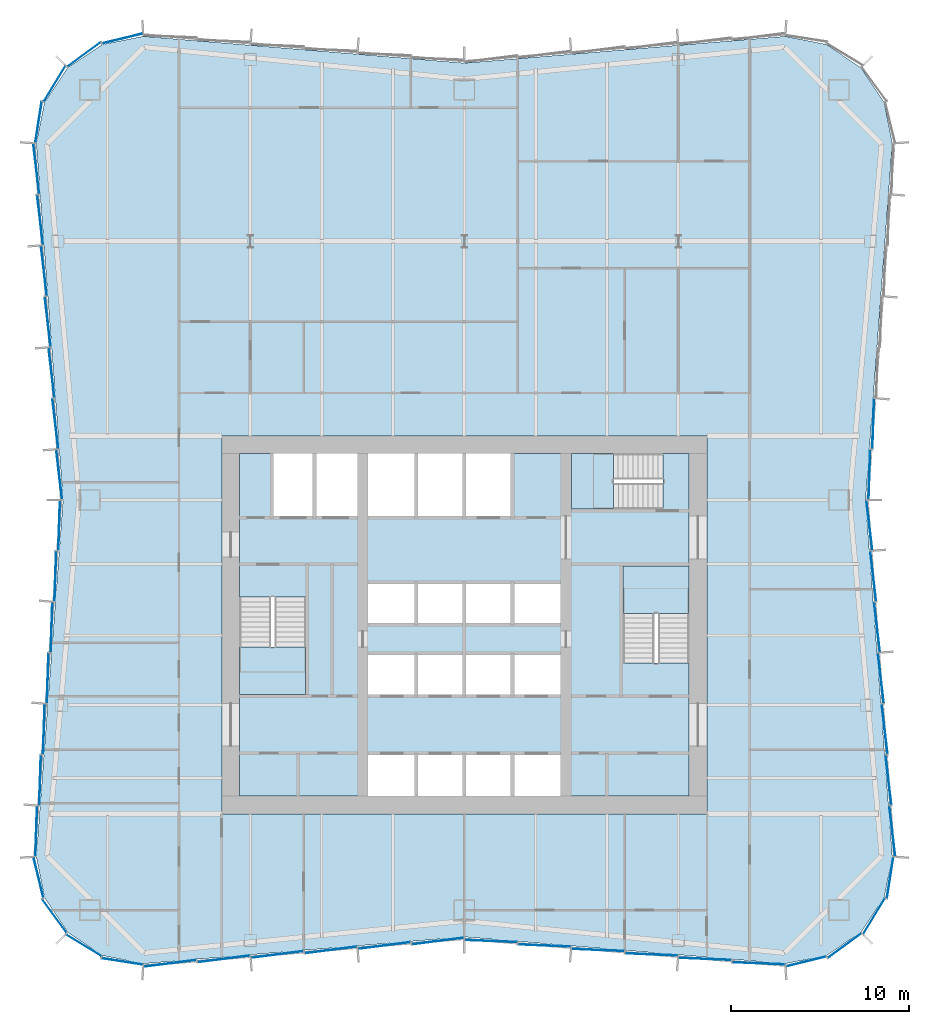
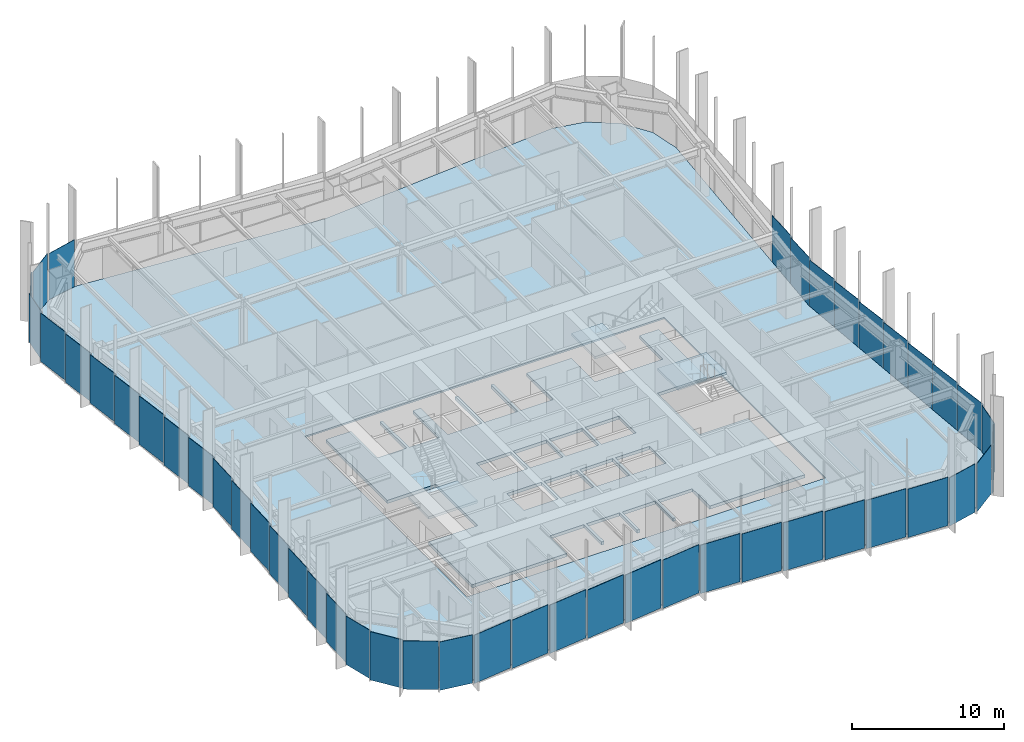
# One storey, part 8 of 14: 47 plates, 5 slabs, 9 elements without a shape of their own.
"""IFC4 building model written with IfcOpenShell, lengths in metres."""

from ifc_helpers import new_model, si_unit, direction, frame, origin, origin_2d, place, context, subcontext, project, spatial, polyline, rectangle, outline, extrude, material, layer, layer_set, type_object, element, aggregate, save


model = new_model("IFC4")

# Units and contexts
model_context = context("Model", 3, precision=1e-05, world=origin(), true_north=direction((0.0, 1.0)))
body_context = subcontext(model_context, "Body", "Model", "MODEL_VIEW")
ifc_project = project(units=[si_unit("LENGTHUNIT", "METRE"), si_unit("AREAUNIT", "SQUARE_METRE"), si_unit("VOLUMEUNIT", "CUBIC_METRE"), si_unit("PLANEANGLEUNIT", "RADIAN"), si_unit("MASSUNIT", "GRAM", prefix="KILO")], contexts=[model_context])

# Site, building, storey
site_placement = place(None, origin())
site = spatial("IfcSite", under=ifc_project, at=site_placement, CompositionType="ELEMENT")
building_placement = place(site_placement, origin())
building = spatial("IfcBuilding", under=site, at=building_placement, Name="Verdant Reach Tower", CompositionType="ELEMENT")
storey_placement = place(building_placement, frame((0.0, 0.0, 162.0)))
storey = spatial("IfcBuildingStorey", under=building, at=storey_placement, Name="L37", CompositionType="ELEMENT", Elevation=162.0)

# Stair, slab
ifc_material_1 = material(Name="Concrete C40/50", Category="concrete")
stair_type = type_object("IfcStairType", Name="CO-STAIR", PredefinedType="HALF_TURN_STAIR", material=ifc_material_1)
stair_1_placement = place(storey_placement, origin())
stair_1 = element("IfcStair", 1, at=stair_1_placement, inside=storey, type_object=stair_type, Name="L37 Exit stair 1", PredefinedType="HALF_TURN_STAIR")
ifc_layer_1 = layer(ifc_material_1, 0.199951171875)
ifc_layer_set_1 = layer_set([ifc_layer_1], Name="CO-STAIR-LANDING")
slab_type_1 = type_object("IfcSlabType", Name="CO-STAIR-LANDING", PredefinedType="LANDING", material=ifc_layer_set_1)
slab_1_placement = place(storey_placement, frame((0.0, 0.0, 1.800048828125)))
slab_1 = element("IfcSlab", 2, at=slab_1_placement, type_object=slab_type_1, Name="ST-1 landing 1", PredefinedType="LANDING", context=body_context, shape_type="SweptSolid", body=[
    extrude(outline(polyline([(-12.60009765625, 26.75), (-12.60009765625, 24.10009765625), (-8.89990234375, 24.10009765625), (-8.89990234375, 26.75), (-12.60009765625, 26.75)])), origin(), (0.0, 0.0, 1.0), 0.199951171875),
])
aggregate(stair_1, [slab_1])

stair_2_placement = place(storey_placement, origin())
stair_2 = element("IfcStair", 3, at=stair_2_placement, inside=storey, type_object=stair_type, Name="L37 Exit stair 2", PredefinedType="HALF_TURN_STAIR")
slab_2_placement = place(storey_placement, frame((0.0, 0.0, 1.800048828125)))
slab_2 = element("IfcSlab", 4, at=slab_2_placement, type_object=slab_type_1, Name="ST-2 landing 1", PredefinedType="LANDING", context=body_context, shape_type="SweptSolid", body=[
    extrude(outline(polyline([(12.60009765625, 28.64990234375), (12.60009765625, 31.300048828125), (8.89990234375, 31.300048828125), (8.89990234375, 28.64990234375), (12.60009765625, 28.64990234375)])), origin(), (0.0, 0.0, 1.0), 0.199951171875),
])
aggregate(stair_2, [slab_2])

stair_3_placement = place(storey_placement, origin())
stair_3 = element("IfcStair", 5, at=stair_3_placement, inside=storey, type_object=stair_type, Name="L37 Exit stair 3", PredefinedType="HALF_TURN_STAIR")
slab_3_placement = place(storey_placement, frame((0.0, 0.0, 1.800048828125)))
slab_3 = element("IfcSlab", 6, at=slab_3_placement, type_object=slab_type_1, Name="ST-3 landing 1", PredefinedType="LANDING", context=body_context, shape_type="SweptSolid", body=[
    extrude(outline(polyline([(8.35009765625, 37.60009765625), (6.0, 37.60009765625), (6.0, 34.5), (8.35009765625, 34.5), (8.35009765625, 37.60009765625)])), origin(), (0.0, 0.0, 1.0), 0.199951171875),
])
aggregate(stair_3, [slab_3])

# Curtain wall, plates
ifc_material_2 = material(Name="Anodised aluminium", Category="aluminium")
curtain_wall_type = type_object("IfcCurtainWallType", Name="EN-CW SYSTEM Z2", PredefinedType="NOTDEFINED", material=ifc_material_2)
curtain_wall_1_placement = place(storey_placement, origin())
curtain_wall_1 = element("IfcCurtainWall", 7, at=curtain_wall_1_placement, inside=storey, type_object=curtain_wall_type, Name="Curtain wall south-east corner, L37", PredefinedType="NOTDEFINED")
ifc_material_3 = material(Name="Tinted glass with champagne spandrel", Category="glass")
ifc_layer_2 = layer(ifc_material_3, 0.031982421875)
ifc_layer_set_2 = layer_set([ifc_layer_2], Name="EN-PANEL CHAMPAGNE")
plate_type_1 = type_object("IfcPlateType", Name="EN-PANEL CHAMPAGNE", PredefinedType="CURTAIN_PANEL", material=ifc_layer_set_2)
plate_1_placement = place(storey_placement, frame((21.3271484375, 10.0205078125, -0.22607421875), z_axis=(0.0, 0.0, 1.0), x_axis=(0.807456760688, 0.589926757843, 0.0)))
plate_1 = element("IfcPlate", 8, at=plate_1_placement, type_object=plate_type_1, Name="Glass panel south-east corner 2.1, L37", PredefinedType="CURTAIN_PANEL", context=body_context, shape_type="SweptSolid", body=[
    extrude(rectangle(XDim=2.322509765625, YDim=0.031982421875, at=origin_2d()), origin(), (0.0, 0.0, 1.0), 3.8759765625),
])
plate_2_placement = place(storey_placement, frame((22.9794921875, 11.6728515625, -0.22607421875), z_axis=(0.0, 0.0, 1.0), x_axis=(0.520291561353, 0.853988694998, 0.0)))
plate_2 = element("IfcPlate", 9, at=plate_2_placement, type_object=plate_type_1, Name="Glass panel south-east corner 3.1, L37", PredefinedType="CURTAIN_PANEL", context=body_context, shape_type="SweptSolid", body=[
    extrude(rectangle(XDim=2.322509765625, YDim=0.031982421875, at=origin_2d()), origin(), (0.0, 0.0, 1.0), 3.8759765625),
])
plate_3_placement = place(storey_placement, frame((23.87353515625, 13.828369140625, -0.22607421875), z_axis=(0.0, 0.0, 1.0), x_axis=(0.154281290631, 0.988026964896, 0.0)))
plate_3 = element("IfcPlate", 10, at=plate_3_placement, type_object=plate_type_1, Name="Glass panel south-east corner 4.1, L37", PredefinedType="CURTAIN_PANEL", context=body_context, shape_type="SweptSolid", body=[
    extrude(rectangle(XDim=2.316162109375, YDim=0.031982421875, at=origin_2d()), origin(), (0.0, 0.0, 1.0), 3.8759765625),
])

curtain_wall_2_placement = place(storey_placement, origin())
curtain_wall_2 = element("IfcCurtainWall", 11, at=curtain_wall_2_placement, inside=storey, type_object=curtain_wall_type, Name="Curtain wall east, L37", PredefinedType="NOTDEFINED")
plate_4_placement = place(storey_placement, frame((23.99853515625, 16.42919921875, -0.22607421875), z_axis=(0.0, 0.0, 1.0), x_axis=(-0.116147092358, 0.993232023717, 0.0)))
plate_4 = element("IfcPlate", 12, at=plate_4_placement, type_object=plate_type_1, Name="Glass panel east face part 1 1.1, L37", PredefinedType="CURTAIN_PANEL", context=body_context, shape_type="SweptSolid", body=[
    extrude(rectangle(XDim=2.819580078125, YDim=0.031982421875, at=origin_2d()), origin(), (0.0, 0.0, 1.0), 3.8759765625),
])
plate_5_placement = place(storey_placement, frame((23.7841796875, 19.293701171875, -0.22607421875), z_axis=(0.0, 0.0, 1.0), x_axis=(-0.116482717753, 0.993192718693, 0.0)))
plate_5 = element("IfcPlate", 13, at=plate_5_placement, type_object=plate_type_1, Name="Glass panel east face part 1 2.1, L37", PredefinedType="CURTAIN_PANEL", context=body_context, shape_type="SweptSolid", body=[
    extrude(rectangle(XDim=2.80517578125, YDim=0.031982421875, at=origin_2d()), origin(), (0.0, 0.0, 1.0), 3.8759765625),
])
plate_6_placement = place(storey_placement, frame((22.92724609375, 39.27783203125, -0.22607421875), z_axis=(0.0, 0.0, 1.0), x_axis=(0.032965971753, 0.999456474643, 0.0)))
plate_6 = element("IfcPlate", 14, at=plate_6_placement, type_object=plate_type_1, Name="Glass panel east face part 2 2.1, L37", PredefinedType="CURTAIN_PANEL", context=body_context, shape_type="SweptSolid", body=[
    extrude(rectangle(XDim=2.80517578125, YDim=0.031982421875, at=origin_2d()), origin(), (0.0, 0.0, 1.0), 3.8759765625),
])

curtain_wall_3_placement = place(storey_placement, origin())
curtain_wall_3 = element("IfcCurtainWall", 15, at=curtain_wall_3_placement, inside=storey, type_object=curtain_wall_type, Name="Curtain wall west, L37", PredefinedType="NOTDEFINED")
plate_7_placement = place(storey_placement, frame((-23.355712890625, 44.9921875, -0.22607421875), z_axis=(0.0, 0.0, 1.0), x_axis=(0.116482717753, -0.993192718693, 0.0)))
plate_7 = element("IfcPlate", 16, at=plate_7_placement, type_object=plate_type_1, Name="Glass panel west face part 1 4.1, L37", PredefinedType="CURTAIN_PANEL", context=body_context, shape_type="SweptSolid", body=[
    extrude(rectangle(XDim=2.80517578125, YDim=0.031982421875, at=origin_2d()), origin(), (0.0, 0.0, 1.0), 3.8759765625),
])
plate_8_placement = place(storey_placement, frame((-23.141357421875, 42.135009765625, -0.22607421875), z_axis=(0.0, 0.0, 1.0), x_axis=(0.116482717753, -0.993192718693, 0.0)))
plate_8 = element("IfcPlate", 17, at=plate_8_placement, type_object=plate_type_1, Name="Glass panel west face part 1 5.1, L37", PredefinedType="CURTAIN_PANEL", context=body_context, shape_type="SweptSolid", body=[
    extrude(rectangle(XDim=2.80517578125, YDim=0.031982421875, at=origin_2d()), origin(), (0.0, 0.0, 1.0), 3.8759765625),
])
plate_9_placement = place(storey_placement, frame((-22.92724609375, 39.27783203125, -0.22607421875), z_axis=(0.0, 0.0, 1.0), x_axis=(0.116482717753, -0.993192718693, 0.0)))
plate_9 = element("IfcPlate", 18, at=plate_9_placement, type_object=plate_type_1, Name="Glass panel west face part 1 6.1, L37", PredefinedType="CURTAIN_PANEL", context=body_context, shape_type="SweptSolid", body=[
    extrude(rectangle(XDim=2.80517578125, YDim=0.031982421875, at=origin_2d()), origin(), (0.0, 0.0, 1.0), 3.8759765625),
])
plate_10_placement = place(storey_placement, frame((-23.7841796875, 19.293701171875, -0.22607421875), z_axis=(0.0, 0.0, 1.0), x_axis=(-0.032965971753, -0.999456474643, 0.0)))
plate_10 = element("IfcPlate", 19, at=plate_10_placement, type_object=plate_type_1, Name="Glass panel west face part 2 6.1, L37", PredefinedType="CURTAIN_PANEL", context=body_context, shape_type="SweptSolid", body=[
    extrude(rectangle(XDim=2.80517578125, YDim=0.031982421875, at=origin_2d()), origin(), (0.0, 0.0, 1.0), 3.8759765625),
])
plate_11_placement = place(storey_placement, frame((-23.99853515625, 16.42919921875, -0.22607421875), z_axis=(0.0, 0.0, 1.0), x_axis=(-0.032628234484, -0.99946755741, 0.0)))
plate_11 = element("IfcPlate", 20, at=plate_11_placement, type_object=plate_type_1, Name="Glass panel west face part 2 7.1, L37", PredefinedType="CURTAIN_PANEL", context=body_context, shape_type="SweptSolid", body=[
    extrude(rectangle(XDim=2.819580078125, YDim=0.031982421875, at=origin_2d()), origin(), (0.0, 0.0, 1.0), 3.8759765625),
])

# Curtain wall, plate
curtain_wall_4_placement = place(storey_placement, origin())
curtain_wall_4 = element("IfcCurtainWall", 21, at=curtain_wall_4_placement, inside=storey, type_object=curtain_wall_type, Name="Curtain wall south-west corner, L37", PredefinedType="NOTDEFINED")
plate_12_placement = place(storey_placement, frame((-19.17138671875, 9.12646484375, -0.22607421875), z_axis=(0.0, 0.0, 1.0), x_axis=(0.988030887576, -0.154256167447, 0.0)))
plate_12 = element("IfcPlate", 22, at=plate_12_placement, type_object=plate_type_1, Name="Glass panel south-west corner 4.1, L37", PredefinedType="CURTAIN_PANEL", context=body_context, shape_type="SweptSolid", body=[
    extrude(rectangle(XDim=2.31640625, YDim=0.031982421875, at=origin_2d()), origin(), (0.0, 0.0, 1.0), 3.8759765625),
])

# Curtain wall, plates
curtain_wall_5_placement = place(storey_placement, origin())
curtain_wall_5 = element("IfcCurtainWall", 23, at=curtain_wall_5_placement, inside=storey, type_object=curtain_wall_type, Name="Curtain wall south, L37", PredefinedType="NOTDEFINED")
plate_13_placement = place(storey_placement, frame((-13.4912109375, 9.269287109375, -0.22607421875), z_axis=(0.0, 0.0, 1.0), x_axis=(0.992194034542, 0.124703639961, 0.0)))
plate_13 = element("IfcPlate", 24, at=plate_13_placement, type_object=plate_type_1, Name="Glass panel south face part 1 2.1, L37", PredefinedType="CURTAIN_PANEL", context=body_context, shape_type="SweptSolid", body=[
    extrude(rectangle(XDim=2.950439453125, YDim=0.031982421875, at=origin_2d()), origin(), (0.0, 0.0, 1.0), 3.8759765625),
])
plate_14_placement = place(storey_placement, frame((-10.4912109375, 9.519287109375, -0.22607421875), z_axis=(0.0, 0.0, 1.0), x_axis=(0.992194034542, 0.124703639961, 0.0)))
plate_14 = element("IfcPlate", 25, at=plate_14_placement, type_object=plate_type_1, Name="Glass panel south face part 1 3.1, L37", PredefinedType="CURTAIN_PANEL", context=body_context, shape_type="SweptSolid", body=[
    extrude(rectangle(XDim=2.950439453125, YDim=0.031982421875, at=origin_2d()), origin(), (0.0, 0.0, 1.0), 3.8759765625),
])
plate_15_placement = place(storey_placement, frame((-7.4912109375, 9.769287109375, -0.22607421875), z_axis=(0.0, 0.0, 1.0), x_axis=(0.992194034542, 0.124703639961, 0.0)))
plate_15 = element("IfcPlate", 26, at=plate_15_placement, type_object=plate_type_1, Name="Glass panel south face part 1 4.1, L37", PredefinedType="CURTAIN_PANEL", context=body_context, shape_type="SweptSolid", body=[
    extrude(rectangle(XDim=2.950439453125, YDim=0.031982421875, at=origin_2d()), origin(), (0.0, 0.0, 1.0), 3.8759765625),
])
plate_16_placement = place(storey_placement, frame((10.4912109375, 9.519287109375, -0.22607421875), z_axis=(0.0, 0.0, 1.0), x_axis=(0.999149202059, -0.041241629766, 0.0)))
plate_16 = element("IfcPlate", 27, at=plate_16_placement, type_object=plate_type_1, Name="Glass panel south face part 2 4.1, L37", PredefinedType="CURTAIN_PANEL", context=body_context, shape_type="SweptSolid", body=[
    extrude(rectangle(XDim=2.950439453125, YDim=0.031982421875, at=origin_2d()), origin(), (0.0, 0.0, 1.0), 3.8759765625),
])
plate_17_placement = place(storey_placement, frame((13.4912109375, 9.269287109375, -0.22607421875), z_axis=(0.0, 0.0, 1.0), x_axis=(0.999149202059, -0.041241629766, 0.0)))
plate_17 = element("IfcPlate", 28, at=plate_17_placement, type_object=plate_type_1, Name="Glass panel south face part 2 5.1, L37", PredefinedType="CURTAIN_PANEL", context=body_context, shape_type="SweptSolid", body=[
    extrude(rectangle(XDim=2.950439453125, YDim=0.031982421875, at=origin_2d()), origin(), (0.0, 0.0, 1.0), 3.8759765625),
])

# Plate
ifc_material_4 = material(Name="Tinted glass with copper spandrel", Category="glass")
ifc_layer_3 = layer(ifc_material_4, 0.031982421875)
ifc_layer_set_3 = layer_set([ifc_layer_3], Name="EN-PANEL COPPER")
plate_type_2 = type_object("IfcPlateType", Name="EN-PANEL COPPER", PredefinedType="CURTAIN_PANEL", material=ifc_layer_set_3)
plate_18_placement = place(storey_placement, frame((23.570068359375, 22.15087890625, -0.22607421875), z_axis=(0.0, 0.0, 1.0), x_axis=(-0.116482717753, 0.993192718693, 0.0)))
plate_18 = element("IfcPlate", 29, at=plate_18_placement, type_object=plate_type_2, Name="Glass panel east face part 1 3.1, L37", PredefinedType="CURTAIN_PANEL", context=body_context, shape_type="SweptSolid", body=[
    extrude(rectangle(XDim=2.80517578125, YDim=0.031982421875, at=origin_2d()), origin(), (0.0, 0.0, 1.0), 3.8759765625),
])

plate_19_placement = place(storey_placement, frame((23.355712890625, 25.0078125, -0.22607421875), z_axis=(0.0, 0.0, 1.0), x_axis=(-0.116482717753, 0.993192718693, 0.0)))
plate_19 = element("IfcPlate", 30, at=plate_19_placement, type_object=plate_type_2, Name="Glass panel east face part 1 4.1, L37", PredefinedType="CURTAIN_PANEL", context=body_context, shape_type="SweptSolid", body=[
    extrude(rectangle(XDim=2.80517578125, YDim=0.031982421875, at=origin_2d()), origin(), (0.0, 0.0, 1.0), 3.8759765625),
])

# Curtain wall, plates
curtain_wall_6_placement = place(storey_placement, origin())
curtain_wall_6 = element("IfcCurtainWall", 31, at=curtain_wall_6_placement, inside=storey, type_object=curtain_wall_type, Name="Curtain wall north-west corner, L37", PredefinedType="NOTDEFINED")
plate_20_placement = place(storey_placement, frame((-19.17138671875, 60.87353515625, -0.22607421875), z_axis=(0.0, 0.0, 1.0), x_axis=(-0.971657900775, -0.236391463174, 0.0)))
plate_20 = element("IfcPlate", 32, at=plate_20_placement, type_object=plate_type_2, Name="Glass panel north-west corner 1.1, L37", PredefinedType="CURTAIN_PANEL", context=body_context, shape_type="SweptSolid", body=[
    extrude(rectangle(XDim=2.31640625, YDim=0.031982421875, at=origin_2d()), origin(), (0.0, 0.0, 1.0), 3.8759765625),
])
plate_21_placement = place(storey_placement, frame((-21.3271484375, 59.9794921875, -0.22607421875), z_axis=(0.0, 0.0, 1.0), x_axis=(-0.807456760688, -0.589926757843, 0.0)))
plate_21 = element("IfcPlate", 33, at=plate_21_placement, type_object=plate_type_2, Name="Glass panel north-west corner 2.1, L37", PredefinedType="CURTAIN_PANEL", context=body_context, shape_type="SweptSolid", body=[
    extrude(rectangle(XDim=2.322509765625, YDim=0.031982421875, at=origin_2d()), origin(), (0.0, 0.0, 1.0), 3.8759765625),
])
plate_22_placement = place(storey_placement, frame((-22.9794921875, 58.3271484375, -0.22607421875), z_axis=(0.0, 0.0, 1.0), x_axis=(-0.520291561353, -0.853988694998, 0.0)))
plate_22 = element("IfcPlate", 34, at=plate_22_placement, type_object=plate_type_2, Name="Glass panel north-west corner 3.1, L37", PredefinedType="CURTAIN_PANEL", context=body_context, shape_type="SweptSolid", body=[
    extrude(rectangle(XDim=2.322509765625, YDim=0.031982421875, at=origin_2d()), origin(), (0.0, 0.0, 1.0), 3.8759765625),
])

# Plate
plate_23_placement = place(storey_placement, frame((-23.99853515625, 53.57080078125, -0.22607421875), z_axis=(0.0, 0.0, 1.0), x_axis=(0.116147092358, -0.993232023717, 0.0)))
plate_23 = element("IfcPlate", 35, at=plate_23_placement, type_object=plate_type_2, Name="Glass panel west face part 1 1.1, L37", PredefinedType="CURTAIN_PANEL", context=body_context, shape_type="SweptSolid", body=[
    extrude(rectangle(XDim=2.819580078125, YDim=0.031982421875, at=origin_2d()), origin(), (0.0, 0.0, 1.0), 3.8759765625),
])

plate_24_placement = place(storey_placement, frame((-22.712890625, 36.424560546875, -0.22607421875), z_axis=(0.0, 0.0, 1.0), x_axis=(0.116585911919, -0.993180610535, 0.0)))
plate_24 = element("IfcPlate", 36, at=plate_24_placement, type_object=plate_type_2, Name="Glass panel west face part 1 7.1, L37", PredefinedType="CURTAIN_PANEL", context=body_context, shape_type="SweptSolid", body=[
    extrude(rectangle(XDim=2.797119140625, YDim=0.031982421875, at=origin_2d()), origin(), (0.0, 0.0, 1.0), 3.8759765625),
])

plate_25_placement = place(storey_placement, frame((-22.712890625, 33.575439453125, -0.22607421875), z_axis=(0.0, 0.0, 1.0), x_axis=(-0.033069817188, -0.999453044015, 0.0)))
plate_25 = element("IfcPlate", 37, at=plate_25_placement, type_object=plate_type_2, Name="Glass panel west face part 2 1.1, L37", PredefinedType="CURTAIN_PANEL", context=body_context, shape_type="SweptSolid", body=[
    extrude(rectangle(XDim=2.797119140625, YDim=0.031982421875, at=origin_2d()), origin(), (0.0, 0.0, 1.0), 3.8759765625),
])

plate_26_placement = place(storey_placement, frame((-22.92724609375, 30.72216796875, -0.22607421875), z_axis=(0.0, 0.0, 1.0), x_axis=(-0.032965971753, -0.999456474643, 0.0)))
plate_26 = element("IfcPlate", 38, at=plate_26_placement, type_object=plate_type_2, Name="Glass panel west face part 2 2.1, L37", PredefinedType="CURTAIN_PANEL", context=body_context, shape_type="SweptSolid", body=[
    extrude(rectangle(XDim=2.80517578125, YDim=0.031982421875, at=origin_2d()), origin(), (0.0, 0.0, 1.0), 3.8759765625),
])

plate_27_placement = place(storey_placement, frame((-23.87353515625, 13.828369140625, -0.22607421875), z_axis=(0.0, 0.0, 1.0), x_axis=(0.236416170006, -0.971651889598, 0.0)))
plate_27 = element("IfcPlate", 39, at=plate_27_placement, type_object=plate_type_2, Name="Glass panel south-west corner 1.1, L37", PredefinedType="CURTAIN_PANEL", context=body_context, shape_type="SweptSolid", body=[
    extrude(rectangle(XDim=2.316162109375, YDim=0.031982421875, at=origin_2d()), origin(), (0.0, 0.0, 1.0), 3.8759765625),
])

plate_28_placement = place(storey_placement, frame((-4.4912109375, 10.019287109375, -0.22607421875), z_axis=(0.0, 0.0, 1.0), x_axis=(0.992194034542, 0.124703639961, 0.0)))
plate_28 = element("IfcPlate", 40, at=plate_28_placement, type_object=plate_type_2, Name="Glass panel south face part 1 5.1, L37", PredefinedType="CURTAIN_PANEL", context=body_context, shape_type="SweptSolid", body=[
    extrude(rectangle(XDim=2.950439453125, YDim=0.031982421875, at=origin_2d()), origin(), (0.0, 0.0, 1.0), 3.8759765625),
])

plate_29_placement = place(storey_placement, frame((-1.49560546875, 10.269287109375, -0.22607421875), z_axis=(0.0, 0.0, 1.0), x_axis=(0.992178815188, 0.12482467181, 0.0)))
plate_29 = element("IfcPlate", 41, at=plate_29_placement, type_object=plate_type_2, Name="Glass panel south face part 1 6.1, L37", PredefinedType="CURTAIN_PANEL", context=body_context, shape_type="SweptSolid", body=[
    extrude(rectangle(XDim=2.941650390625, YDim=0.031982421875, at=origin_2d()), origin(), (0.0, 0.0, 1.0), 3.8759765625),
])

plate_30_placement = place(storey_placement, frame((16.49853515625, 9.019287109375, -0.22607421875), z_axis=(0.0, 0.0, 1.0), x_axis=(0.999163230224, -0.040900359019, 0.0)))
plate_30 = element("IfcPlate", 42, at=plate_30_placement, type_object=plate_type_2, Name="Glass panel south face part 2 6.1, L37", PredefinedType="CURTAIN_PANEL", context=body_context, shape_type="SweptSolid", body=[
    extrude(rectangle(XDim=2.965087890625, YDim=0.031982421875, at=origin_2d()), origin(), (0.0, 0.0, 1.0), 3.8759765625),
])

ifc_material_5 = material(Name="Tinted glass with dark bronze spandrel", Category="glass")
ifc_layer_4 = layer(ifc_material_5, 0.031982421875)
ifc_layer_set_4 = layer_set([ifc_layer_4], Name="EN-PANEL DARK")
plate_type_3 = type_object("IfcPlateType", Name="EN-PANEL DARK", PredefinedType="CURTAIN_PANEL", material=ifc_layer_set_4)
plate_31_placement = place(storey_placement, frame((19.17138671875, 9.12646484375, -0.22607421875), z_axis=(0.0, 0.0, 1.0), x_axis=(0.971657900775, 0.236391463174, 0.0)))
plate_31 = element("IfcPlate", 43, at=plate_31_placement, type_object=plate_type_3, Name="Glass panel south-east corner 1.1, L37", PredefinedType="CURTAIN_PANEL", context=body_context, shape_type="SweptSolid", body=[
    extrude(rectangle(XDim=2.31640625, YDim=0.031982421875, at=origin_2d()), origin(), (0.0, 0.0, 1.0), 3.8759765625),
])

aggregate(curtain_wall_1, [plate_31, plate_1, plate_2, plate_3])

plate_32_placement = place(storey_placement, frame((23.141357421875, 27.864990234375, -0.22607421875), z_axis=(0.0, 0.0, 1.0), x_axis=(-0.116482717753, 0.993192718693, 0.0)))
plate_32 = element("IfcPlate", 44, at=plate_32_placement, type_object=plate_type_3, Name="Glass panel east face part 1 5.1, L37", PredefinedType="CURTAIN_PANEL", context=body_context, shape_type="SweptSolid", body=[
    extrude(rectangle(XDim=2.80517578125, YDim=0.031982421875, at=origin_2d()), origin(), (0.0, 0.0, 1.0), 3.8759765625),
])

plate_33_placement = place(storey_placement, frame((22.92724609375, 30.72216796875, -0.22607421875), z_axis=(0.0, 0.0, 1.0), x_axis=(-0.116482717753, 0.993192718693, 0.0)))
plate_33 = element("IfcPlate", 45, at=plate_33_placement, type_object=plate_type_3, Name="Glass panel east face part 1 6.1, L37", PredefinedType="CURTAIN_PANEL", context=body_context, shape_type="SweptSolid", body=[
    extrude(rectangle(XDim=2.80517578125, YDim=0.031982421875, at=origin_2d()), origin(), (0.0, 0.0, 1.0), 3.8759765625),
])

plate_34_placement = place(storey_placement, frame((22.712890625, 33.575439453125, -0.22607421875), z_axis=(0.0, 0.0, 1.0), x_axis=(-0.116585911919, 0.993180610535, 0.0)))
plate_34 = element("IfcPlate", 46, at=plate_34_placement, type_object=plate_type_3, Name="Glass panel east face part 1 7.1, L37", PredefinedType="CURTAIN_PANEL", context=body_context, shape_type="SweptSolid", body=[
    extrude(rectangle(XDim=2.797119140625, YDim=0.031982421875, at=origin_2d()), origin(), (0.0, 0.0, 1.0), 3.8759765625),
])

plate_35_placement = place(storey_placement, frame((22.712890625, 36.424560546875, -0.22607421875), z_axis=(0.0, 0.0, 1.0), x_axis=(0.033069817188, 0.999453044015, 0.0)))
plate_35 = element("IfcPlate", 47, at=plate_35_placement, type_object=plate_type_3, Name="Glass panel east face part 2 1.1, L37", PredefinedType="CURTAIN_PANEL", context=body_context, shape_type="SweptSolid", body=[
    extrude(rectangle(XDim=2.797119140625, YDim=0.031982421875, at=origin_2d()), origin(), (0.0, 0.0, 1.0), 3.8759765625),
])

aggregate(curtain_wall_2, [plate_4, plate_5, plate_18, plate_19, plate_32, plate_33, plate_34, plate_35, plate_6])

plate_36_placement = place(storey_placement, frame((-23.87353515625, 56.171630859375, -0.22607421875), z_axis=(0.0, 0.0, 1.0), x_axis=(-0.154281290631, -0.988026964896, 0.0)))
plate_36 = element("IfcPlate", 48, at=plate_36_placement, type_object=plate_type_3, Name="Glass panel north-west corner 4.1, L37", PredefinedType="CURTAIN_PANEL", context=body_context, shape_type="SweptSolid", body=[
    extrude(rectangle(XDim=2.316162109375, YDim=0.031982421875, at=origin_2d()), origin(), (0.0, 0.0, 1.0), 3.8759765625),
])

aggregate(curtain_wall_6, [plate_20, plate_21, plate_22, plate_36])

plate_37_placement = place(storey_placement, frame((-23.7841796875, 50.706298828125, -0.22607421875), z_axis=(0.0, 0.0, 1.0), x_axis=(0.116482717753, -0.993192718693, 0.0)))
plate_37 = element("IfcPlate", 49, at=plate_37_placement, type_object=plate_type_3, Name="Glass panel west face part 1 2.1, L37", PredefinedType="CURTAIN_PANEL", context=body_context, shape_type="SweptSolid", body=[
    extrude(rectangle(XDim=2.80517578125, YDim=0.031982421875, at=origin_2d()), origin(), (0.0, 0.0, 1.0), 3.8759765625),
])

plate_38_placement = place(storey_placement, frame((-23.570068359375, 47.84912109375, -0.22607421875), z_axis=(0.0, 0.0, 1.0), x_axis=(0.116482717753, -0.993192718693, 0.0)))
plate_38 = element("IfcPlate", 50, at=plate_38_placement, type_object=plate_type_3, Name="Glass panel west face part 1 3.1, L37", PredefinedType="CURTAIN_PANEL", context=body_context, shape_type="SweptSolid", body=[
    extrude(rectangle(XDim=2.80517578125, YDim=0.031982421875, at=origin_2d()), origin(), (0.0, 0.0, 1.0), 3.8759765625),
])

plate_39_placement = place(storey_placement, frame((-23.141357421875, 27.864990234375, -0.22607421875), z_axis=(0.0, 0.0, 1.0), x_axis=(-0.032965971753, -0.999456474643, 0.0)))
plate_39 = element("IfcPlate", 51, at=plate_39_placement, type_object=plate_type_3, Name="Glass panel west face part 2 3.1, L37", PredefinedType="CURTAIN_PANEL", context=body_context, shape_type="SweptSolid", body=[
    extrude(rectangle(XDim=2.80517578125, YDim=0.031982421875, at=origin_2d()), origin(), (0.0, 0.0, 1.0), 3.8759765625),
])

plate_40_placement = place(storey_placement, frame((-23.355712890625, 25.0078125, -0.22607421875), z_axis=(0.0, 0.0, 1.0), x_axis=(-0.032965971753, -0.999456474643, 0.0)))
plate_40 = element("IfcPlate", 52, at=plate_40_placement, type_object=plate_type_3, Name="Glass panel west face part 2 4.1, L37", PredefinedType="CURTAIN_PANEL", context=body_context, shape_type="SweptSolid", body=[
    extrude(rectangle(XDim=2.80517578125, YDim=0.031982421875, at=origin_2d()), origin(), (0.0, 0.0, 1.0), 3.8759765625),
])

plate_41_placement = place(storey_placement, frame((-23.570068359375, 22.15087890625, -0.22607421875), z_axis=(0.0, 0.0, 1.0), x_axis=(-0.032965971753, -0.999456474643, 0.0)))
plate_41 = element("IfcPlate", 53, at=plate_41_placement, type_object=plate_type_3, Name="Glass panel west face part 2 5.1, L37", PredefinedType="CURTAIN_PANEL", context=body_context, shape_type="SweptSolid", body=[
    extrude(rectangle(XDim=2.80517578125, YDim=0.031982421875, at=origin_2d()), origin(), (0.0, 0.0, 1.0), 3.8759765625),
])

aggregate(curtain_wall_3, [plate_23, plate_37, plate_38, plate_7, plate_8, plate_9, plate_24, plate_25, plate_26, plate_39, plate_40, plate_41, plate_10, plate_11])

plate_42_placement = place(storey_placement, frame((-22.9794921875, 11.6728515625, -0.22607421875), z_axis=(0.0, 0.0, 1.0), x_axis=(0.589926757843, -0.807456760688, 0.0)))
plate_42 = element("IfcPlate", 54, at=plate_42_placement, type_object=plate_type_3, Name="Glass panel south-west corner 2.1, L37", PredefinedType="CURTAIN_PANEL", context=body_context, shape_type="SweptSolid", body=[
    extrude(rectangle(XDim=2.322509765625, YDim=0.031982421875, at=origin_2d()), origin(), (0.0, 0.0, 1.0), 3.8759765625),
])

plate_43_placement = place(storey_placement, frame((-21.3271484375, 10.0205078125, -0.22607421875), z_axis=(0.0, 0.0, 1.0), x_axis=(0.853988694998, -0.520291561353, 0.0)))
plate_43 = element("IfcPlate", 55, at=plate_43_placement, type_object=plate_type_3, Name="Glass panel south-west corner 3.1, L37", PredefinedType="CURTAIN_PANEL", context=body_context, shape_type="SweptSolid", body=[
    extrude(rectangle(XDim=2.322509765625, YDim=0.031982421875, at=origin_2d()), origin(), (0.0, 0.0, 1.0), 3.8759765625),
])

aggregate(curtain_wall_4, [plate_27, plate_42, plate_43, plate_12])

plate_44_placement = place(storey_placement, frame((-16.49853515625, 9.019287109375, -0.22607421875), z_axis=(0.0, 0.0, 1.0), x_axis=(0.992236570309, 0.124364739946, 0.0)))
plate_44 = element("IfcPlate", 56, at=plate_44_placement, type_object=plate_type_3, Name="Glass panel south face part 1 1.1, L37", PredefinedType="CURTAIN_PANEL", context=body_context, shape_type="SweptSolid", body=[
    extrude(rectangle(XDim=2.965087890625, YDim=0.031982421875, at=origin_2d()), origin(), (0.0, 0.0, 1.0), 3.8759765625),
])

plate_45_placement = place(storey_placement, frame((1.49560546875, 10.269287109375, -0.22607421875), z_axis=(0.0, 0.0, 1.0), x_axis=(0.999144163765, -0.041363510662, 0.0)))
plate_45 = element("IfcPlate", 57, at=plate_45_placement, type_object=plate_type_3, Name="Glass panel south face part 2 1.1, L37", PredefinedType="CURTAIN_PANEL", context=body_context, shape_type="SweptSolid", body=[
    extrude(rectangle(XDim=2.941650390625, YDim=0.031982421875, at=origin_2d()), origin(), (0.0, 0.0, 1.0), 3.8759765625),
])

plate_46_placement = place(storey_placement, frame((4.4912109375, 10.019287109375, -0.22607421875), z_axis=(0.0, 0.0, 1.0), x_axis=(0.999149202059, -0.041241629766, 0.0)))
plate_46 = element("IfcPlate", 58, at=plate_46_placement, type_object=plate_type_3, Name="Glass panel south face part 2 2.1, L37", PredefinedType="CURTAIN_PANEL", context=body_context, shape_type="SweptSolid", body=[
    extrude(rectangle(XDim=2.950439453125, YDim=0.031982421875, at=origin_2d()), origin(), (0.0, 0.0, 1.0), 3.8759765625),
])

plate_47_placement = place(storey_placement, frame((7.4912109375, 9.769287109375, -0.22607421875), z_axis=(0.0, 0.0, 1.0), x_axis=(0.999149202059, -0.041241629766, 0.0)))
plate_47 = element("IfcPlate", 59, at=plate_47_placement, type_object=plate_type_3, Name="Glass panel south face part 2 3.1, L37", PredefinedType="CURTAIN_PANEL", context=body_context, shape_type="SweptSolid", body=[
    extrude(rectangle(XDim=2.950439453125, YDim=0.031982421875, at=origin_2d()), origin(), (0.0, 0.0, 1.0), 3.8759765625),
])

aggregate(curtain_wall_5, [plate_44, plate_13, plate_14, plate_15, plate_28, plate_29, plate_45, plate_46, plate_47, plate_16, plate_17, plate_30])

# Slabs
ifc_material_6 = material(Name="Concrete C35/45", Category="concrete")
ifc_layer_5 = layer(ifc_material_6, 0.1298828125)
ifc_layer_set_5 = layer_set([ifc_layer_5], Name="ST-SLAB-130")
slab_type_2 = type_object("IfcSlabType", Name="ST-SLAB-130", PredefinedType="FLOOR", material=ifc_layer_set_5)
slab_4_placement = place(storey_placement, frame((0.0, 0.0, -0.1298828125)))
element("IfcSlab", 60, at=slab_4_placement, inside=storey, type_object=slab_type_2, Name="Floor slab L37", PredefinedType="FLOOR", context=body_context, shape_type="SweptSolid", body=[
    extrude(outline(polyline([(0.0, 10.5), (-18.0, 9.0), (-20.296142578125, 9.456787109375), (-22.24267578125, 10.75732421875), (-23.543212890625, 12.703857421875), (-24.0, 15.0), (-22.5, 35.0), (-24.0, 55.0), (-23.543212890625, 57.296142578125), (-22.24267578125, 59.24267578125), (-20.296142578125, 60.543212890625), (-18.0, 61.0), (0.0, 59.5), (18.0, 61.0), (20.296142578125, 60.543212890625), (22.24267578125, 59.24267578125), (23.543212890625, 57.296142578125), (24.0, 55.0), (22.5, 35.0), (24.0, 15.0), (23.543212890625, 12.703857421875), (22.24267578125, 10.75732421875), (20.296142578125, 9.456787109375), (18.0, 9.0), (0.0, 10.5)]), holes=[polyline([(13.60009765625, 38.60009765625), (-13.60009765625, 38.60009765625), (-13.60009765625, 17.39990234375), (13.60009765625, 17.39990234375), (13.60009765625, 38.60009765625)])]), origin(), (0.0, 0.0, 1.0), 0.1298828125),
])
ifc_layer_6 = layer(ifc_material_6, 0.25)
ifc_layer_set_6 = layer_set([ifc_layer_6], Name="ST-SLAB-250")
slab_type_3 = type_object("IfcSlabType", Name="ST-SLAB-250", PredefinedType="FLOOR", material=ifc_layer_set_6)
slab_5_placement = place(storey_placement, frame((0.0, 0.0, -0.25)))
element("IfcSlab", 61, at=slab_5_placement, inside=storey, type_object=slab_type_3, Name="Core floor slab L37", PredefinedType="FLOOR", context=body_context, shape_type="SweptSolid", body=[
    extrude(outline(polyline([(12.60009765625, 18.39990234375), (5.39990234375, 18.39990234375), (5.39990234375, 20.699951171875), (2.800048828125, 20.699951171875), (2.800048828125, 18.39990234375), (2.60009765625, 18.39990234375), (2.60009765625, 20.699951171875), (0.10009765625, 20.699951171875), (0.10009765625, 18.39990234375), (-0.10009765625, 18.39990234375), (-0.10009765625, 20.699951171875), (-2.60009765625, 20.699951171875), (-2.60009765625, 18.39990234375), (-2.800048828125, 18.39990234375), (-2.800048828125, 20.699951171875), (-5.39990234375, 20.699951171875), (-5.39990234375, 18.39990234375), (-12.60009765625, 18.39990234375), (-12.60009765625, 24.10009765625), (-8.89990234375, 24.10009765625), (-8.89990234375, 29.548095703125), (-12.60009765625, 29.548095703125), (-12.60009765625, 37.60009765625), (-10.699951171875, 37.60009765625), (-10.699951171875, 34.10009765625), (-8.5, 34.10009765625), (-8.5, 37.60009765625), (-8.300048828125, 37.60009765625), (-8.300048828125, 34.10009765625), (-6.0, 34.10009765625), (-6.0, 37.60009765625), (-5.39990234375, 37.60009765625), (-5.39990234375, 34.10009765625), (-2.800048828125, 34.10009765625), (-2.800048828125, 37.60009765625), (-2.60009765625, 37.60009765625), (-2.60009765625, 34.10009765625), (-0.10009765625, 34.10009765625), (-0.10009765625, 37.60009765625), (0.10009765625, 37.60009765625), (0.10009765625, 34.10009765625), (2.60009765625, 34.10009765625), (2.60009765625, 37.60009765625), (6.0, 37.60009765625), (6.0, 34.5), (11.14794921875, 34.5), (11.14794921875, 37.60009765625), (12.60009765625, 37.60009765625), (12.60009765625, 31.300048828125), (8.89990234375, 31.300048828125), (8.89990234375, 25.85205078125), (12.60009765625, 25.85205078125), (12.60009765625, 18.39990234375)]), holes=[polyline([(-2.800048828125, 24.10009765625), (-2.800048828125, 26.300048828125), (-5.39990234375, 26.300048828125), (-5.39990234375, 24.10009765625), (-2.800048828125, 24.10009765625)]), polyline([(-2.60009765625, 24.10009765625), (-0.10009765625, 24.10009765625), (-0.10009765625, 26.300048828125), (-2.60009765625, 26.300048828125), (-2.60009765625, 24.10009765625)]), polyline([(-2.800048828125, 28.10009765625), (-2.800048828125, 30.300048828125), (-5.39990234375, 30.300048828125), (-5.39990234375, 28.10009765625), (-2.800048828125, 28.10009765625)]), polyline([(-0.10009765625, 28.10009765625), (-0.10009765625, 30.300048828125), (-2.60009765625, 30.300048828125), (-2.60009765625, 28.10009765625), (-0.10009765625, 28.10009765625)]), polyline([(2.60009765625, 24.10009765625), (2.60009765625, 26.300048828125), (0.10009765625, 26.300048828125), (0.10009765625, 24.10009765625), (2.60009765625, 24.10009765625)]), polyline([(2.800048828125, 24.10009765625), (5.39990234375, 24.10009765625), (5.39990234375, 26.300048828125), (2.800048828125, 26.300048828125), (2.800048828125, 24.10009765625)]), polyline([(2.60009765625, 28.10009765625), (2.60009765625, 30.300048828125), (0.10009765625, 30.300048828125), (0.10009765625, 28.10009765625), (2.60009765625, 28.10009765625)]), polyline([(5.39990234375, 28.10009765625), (5.39990234375, 30.300048828125), (2.800048828125, 30.300048828125), (2.800048828125, 28.10009765625), (5.39990234375, 28.10009765625)])]), origin(), (0.0, 0.0, 1.0), 0.25),
])

save(model, "model.ifc")
